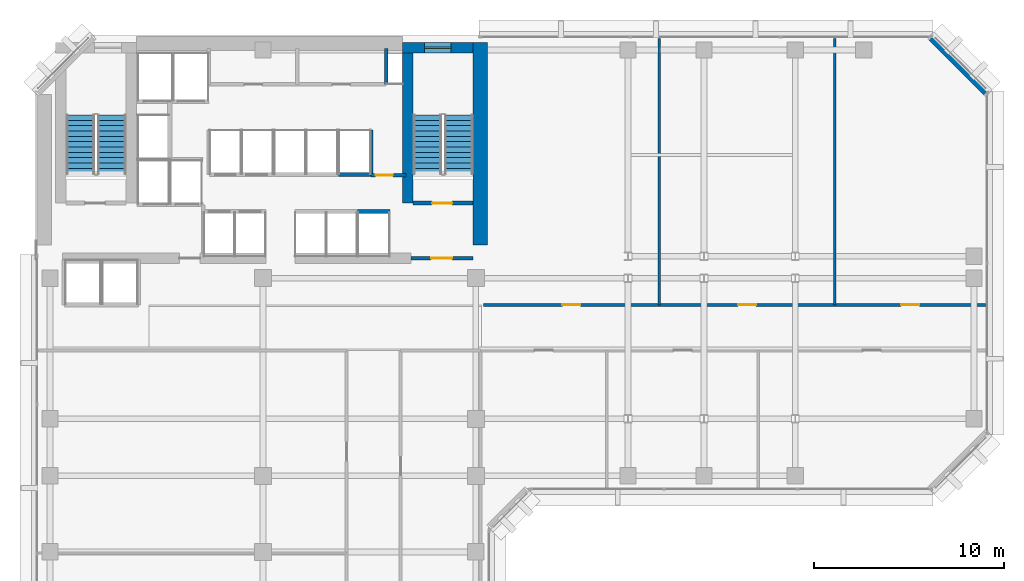
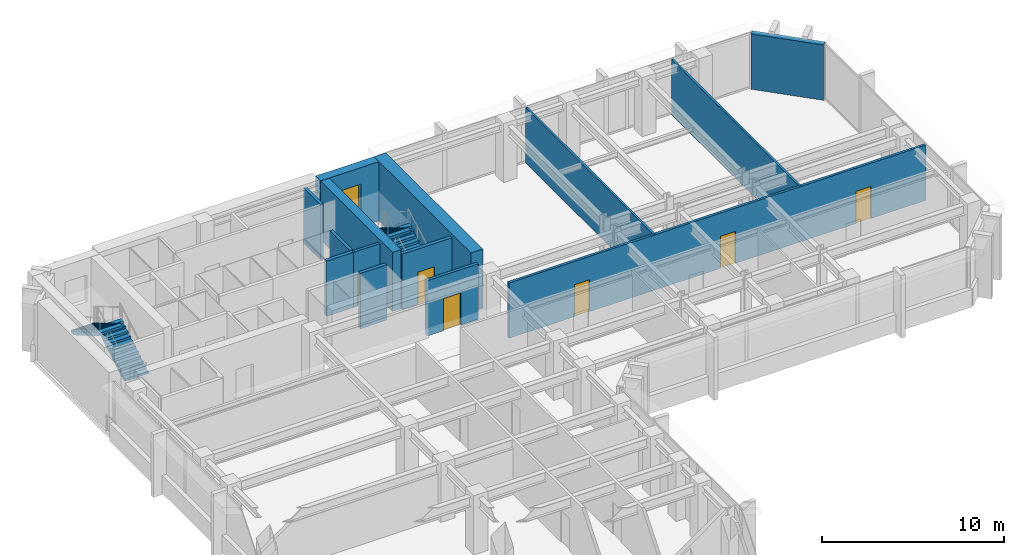
# One storey, part 8 of 12: 14 walls, 6 doors, 4 stair flights, 1 window, 7 openings, 2 elements without a shape of their own.
"""IFC4 building model written with IfcOpenShell, lengths in metres."""

from ifc_helpers import new_model, si_unit, direction, frame, frame_2d, origin, place, context, subcontext, project, spatial, polyline, rectangle, outline, extrude, material, layer, layer_set, type_object, element, fill, aggregate, save


model = new_model("IFC4")

# Units and contexts
model_context = context("Model", 3, precision=1e-05, world=origin(), true_north=direction((0.0, 1.0)))
body_context = subcontext(model_context, "Body", "Model", "MODEL_VIEW")
ifc_project = project(units=[si_unit("LENGTHUNIT", "METRE"), si_unit("AREAUNIT", "SQUARE_METRE"), si_unit("VOLUMEUNIT", "CUBIC_METRE"), si_unit("PLANEANGLEUNIT", "RADIAN"), si_unit("MASSUNIT", "GRAM", prefix="KILO")], contexts=[model_context])

# Site, building, storey
site_placement = place(None, origin())
site = spatial("IfcSite", under=ifc_project, at=site_placement, CompositionType="ELEMENT")
building_placement = place(site_placement, origin())
building = spatial("IfcBuilding", under=site, at=building_placement, Name="Kefirva Bronze Tower", CompositionType="ELEMENT")
storey_placement = place(building_placement, frame((0.0, 0.0, 122.429931640625)))
storey = spatial("IfcBuildingStorey", under=building, at=storey_placement, Name="L29", CompositionType="ELEMENT", Elevation=122.429931640625)

# Walls
ifc_material_1 = material(Name="Gypsum acoustic partition")
ifc_layer_1 = layer(ifc_material_1, 0.1298828125, Name="Gypsum acoustic partition")
ifc_layer_set_1 = layer_set([ifc_layer_1], Name="Gypsum acoustic partition")
wall_type_1 = type_object("IfcWallType", Name="Acoustic Office Partition 130mm", PredefinedType="PARTITIONING", material=ifc_layer_set_1)
for number, where, z_axis, x_axis, name in (
    (1, (32.843505859375, 31.800048828125, 0.0), (0.0, 0.0, 1.0), (0.0, 1.0, 0.0), "L29 Partition W-L29-END1"),
    (2, (42.0869140625, 31.800048828125, 0.0), (0.0, 0.0, 1.0), (0.0, 1.0, 0.0), "L29 Partition W-L29-END2"),
):
    element("IfcWall", number, at=place(storey_placement, frame(where, z_axis=z_axis, x_axis=x_axis)), inside=storey, type_object=wall_type_1, Name=name, PredefinedType="PARTITIONING", context=body_context, shape_type="SweptSolid", body=[
        extrude(rectangle(XDim=14.010009765625, YDim=0.1298828125, at=frame_2d((7.0048828125, 0.0))), origin(), (0.0, 0.0, 1.0), 3.7099609375),
    ])

# Wall, opening, door
ifc_material_2 = material(Name="Gypsum fireboard shaftwall")
ifc_layer_2 = layer(ifc_material_2, 0.219970703125, Name="Gypsum fireboard shaftwall")
ifc_layer_set_2 = layer_set([ifc_layer_2], Name="Gypsum fireboard shaftwall")
wall_type_2 = type_object("IfcWallType", Name="Fire-Rated Shaft Enclosure Wall 220mm", PredefinedType="PARTITIONING", material=ifc_layer_set_2)
wall_1_placement = place(storey_placement, frame((19.89990234375, 37.14990234375, 0.0), z_axis=(0.0, 0.0, 1.0), x_axis=(1.0, 0.0, 0.0)))
wall_1 = element("IfcWall", 3, at=wall_1_placement, inside=storey, type_object=wall_type_2, Name="L29 Partition W-L29-ST2S", PredefinedType="PARTITIONING", context=body_context, shape_type="SweptSolid", body=[
    extrude(rectangle(XDim=3.150146484375, YDim=0.219970703125, at=frame_2d((1.5751953125, 0.0))), origin(), (0.0, 0.0, 1.0), 3.7099609375),
])
opening_1_placement = place(wall_1_placement, frame((2.050048828125, 0.0, 0.0), z_axis=(0.0, 0.0, 1.0), x_axis=(-1.0, 0.0, 0.0)))
opening_1 = element("IfcOpeningElement", 4, at=opening_1_placement, cuts=wall_1, Name="Opening L29-D003", PredefinedType="OPENING", context=body_context, shape_type="SweptSolid", body=[
    extrude(rectangle(XDim=1.050048828125, YDim=2.14990234375, at=frame_2d((0.52490234375, 1.074951171875))), frame((0.0, 0.1201171875, 0.0), z_axis=(0.0, -1.0, 0.0), x_axis=(1.0, 0.0, 0.0)), (0.0, 0.0, 1.0), 0.239990234375),
])
ifc_material_3 = material(Name="Painted galvanized steel", Category="steel")
door_type_1 = type_object("IfcDoorType", Name="Fire Stair Enclosure Door 1050x2150 FD90S", OperationType="NOTDEFINED", PredefinedType="DOOR", material=ifc_material_3)
door_1_placement = place(opening_1_placement, origin())
door_1 = element("IfcDoor", 5, at=door_1_placement, inside=storey, type_object=door_type_1, Name="Door L29-D003", OperationType="SINGLE_SWING_LEFT", OverallHeight=2.14990234375, OverallWidth=1.050048828125, PredefinedType="DOOR", context=body_context, shape_type="SweptSolid", body=[
    extrude(rectangle(XDim=1.050048828125, YDim=2.14990234375, at=frame_2d((0.52490234375, 1.074951171875))), frame((0.0, 0.02490234375, 0.0), z_axis=(0.0, -1.0, 0.0), x_axis=(1.0, 0.0, 0.0)), (0.0, 0.0, 1.0), 0.050048828125),
])
fill(opening_1, door_1)

# Walls
wall_2_placement = place(storey_placement, frame((17.679931640625, 38.64990234375, 0.0), z_axis=(0.0, 0.0, 1.0), x_axis=(0.0, 1.0, 0.0)))
element("IfcWall", 6, at=wall_2_placement, inside=storey, type_object=wall_type_2, Name="L29 Partition W-L29-HP2E", PredefinedType="PARTITIONING", context=body_context, shape_type="SweptSolid", body=[
    extrude(rectangle(XDim=2.35009765625, YDim=0.199951171875, at=frame_2d((1.175048828125, 0.0))), origin(), (0.0, 0.0, 1.0), 3.7099609375),
])
wall_3_placement = place(storey_placement, frame((16.97998046875, 36.699951171875, 0.0), z_axis=(0.0, 0.0, 1.0), x_axis=(1.0, 0.0, 0.0)))
element("IfcWall", 7, at=wall_3_placement, inside=storey, type_object=wall_type_2, Name="L29 Partition W-L29-HPS", PredefinedType="PARTITIONING", context=body_context, shape_type="SweptSolid", body=[
    extrude(rectangle(XDim=1.699951171875, YDim=0.219970703125, at=frame_2d((0.85009765625, 0.0))), origin(), (0.0, 0.0, 1.0), 3.7099609375),
])
wall_4_placement = place(storey_placement, frame((15.97998046875, 38.64990234375, 0.0), z_axis=(0.0, 0.0, 1.0), x_axis=(1.0, 0.0, 0.0)))
element("IfcWall", 8, at=wall_4_placement, inside=storey, type_object=wall_type_2, Name="L29 Partition W-L29-HPN", PredefinedType="PARTITIONING", context=body_context, shape_type="SweptSolid", body=[
    extrude(rectangle(XDim=1.719970703125, YDim=0.219970703125, at=frame_2d((0.85986328125, 0.0))), origin(), (0.0, 0.0, 1.0), 3.7099609375),
])

# Wall, opening, door
ifc_material_4 = material(Name="Gypsum fireboard barrier")
ifc_layer_3 = layer(ifc_material_4, 0.199951171875, Name="Gypsum fireboard barrier")
ifc_layer_set_3 = layer_set([ifc_layer_3], Name="Gypsum fireboard barrier")
wall_type_3 = type_object("IfcWallType", Name="Firefighting Lobby Barrier Wall 200mm", PredefinedType="PARTITIONING", material=ifc_layer_set_3)
wall_5_placement = place(storey_placement, frame((19.800048828125, 34.25, 0.0), z_axis=(0.0, 0.0, 1.0), x_axis=(1.0, 0.0, 0.0)))
wall_5 = element("IfcWall", 9, at=wall_5_placement, inside=storey, type_object=wall_type_3, Name="L29 Partition W-L29-ST2F", PredefinedType="PARTITIONING", context=body_context, shape_type="SweptSolid", body=[
    extrude(rectangle(XDim=3.25, YDim=0.199951171875, at=frame_2d((1.625, 0.0))), origin(), (0.0, 0.0, 1.0), 3.7099609375),
])
opening_2_placement = place(wall_5_placement, frame((2.150146484375, 0.0, 0.0), z_axis=(0.0, 0.0, 1.0), x_axis=(-1.0, 0.0, 0.0)))
opening_2 = element("IfcOpeningElement", 10, at=opening_2_placement, cuts=wall_5, Name="Opening L29-D004", PredefinedType="OPENING", context=body_context, shape_type="SweptSolid", body=[
    extrude(rectangle(XDim=1.10009765625, YDim=2.14990234375, at=frame_2d((0.550048828125, 1.074951171875))), frame((0.0, 0.10986328125, 0.0), z_axis=(0.0, -1.0, 0.0), x_axis=(1.0, 0.0, 0.0)), (0.0, 0.0, 1.0), 0.219970703125),
])
door_type_2 = type_object("IfcDoorType", Name="Firefighting Lobby Smoke Door 1100x2150 FD60S", OperationType="NOTDEFINED", PredefinedType="DOOR", material=ifc_material_3)
door_2_placement = place(opening_2_placement, origin())
door_2 = element("IfcDoor", 11, at=door_2_placement, inside=storey, type_object=door_type_2, Name="Door L29-D004", OperationType="SINGLE_SWING_RIGHT", OverallHeight=2.14990234375, OverallWidth=1.10009765625, PredefinedType="DOOR", context=body_context, shape_type="SweptSolid", body=[
    extrude(rectangle(XDim=1.10009765625, YDim=2.14990234375, at=frame_2d((0.550048828125, 1.074951171875))), frame((0.0, 0.02490234375, 0.0), z_axis=(0.0, -1.0, 0.0), x_axis=(1.0, 0.0, 0.0)), (0.0, 0.0, 1.0), 0.050048828125),
])
fill(opening_2, door_2)

wall_6_placement = place(storey_placement, frame((17.679931640625, 38.6201171875, 0.0), z_axis=(0.0, 0.0, 1.0), x_axis=(1.0, 0.0, 0.0)))
wall_6 = element("IfcWall", 12, at=wall_6_placement, inside=storey, type_object=wall_type_3, Name="L29 Partition W-L29-CPASS", PredefinedType="PARTITIONING", context=body_context, shape_type="SweptSolid", body=[
    extrude(rectangle(XDim=1.840087890625, YDim=0.179931640625, at=frame_2d((0.919921875, 0.0))), origin(), (0.0, 0.0, 1.0), 3.7099609375),
])
opening_3_placement = place(wall_6_placement, frame((0.239990234375, 0.0, 0.0)))
opening_3 = element("IfcOpeningElement", 13, at=opening_3_placement, cuts=wall_6, Name="Opening L29-D-CPAS", PredefinedType="OPENING", context=body_context, shape_type="SweptSolid", body=[
    extrude(rectangle(XDim=0.919921875, YDim=2.10009765625, at=frame_2d((0.4599609375, 1.050048828125))), frame((0.0, 0.10009765625, 0.0), z_axis=(0.0, -1.0, 0.0), x_axis=(1.0, 0.0, 0.0)), (0.0, 0.0, 1.0), 0.199951171875),
])
ifc_material_5 = material(Name="Moisture-resistant timber", Category="wood")
door_type_3 = type_object("IfcDoorType", Name="Accessible Sanitary & WC Door 920x2100", OperationType="NOTDEFINED", PredefinedType="DOOR", material=ifc_material_5)
door_3_placement = place(opening_3_placement, origin())
door_3 = element("IfcDoor", 14, at=door_3_placement, inside=storey, type_object=door_type_3, Name="Door L29-D-CPAS", OperationType="SINGLE_SWING_LEFT", OverallHeight=2.10009765625, OverallWidth=0.919921875, PredefinedType="DOOR", context=body_context, shape_type="SweptSolid", body=[
    extrude(rectangle(XDim=0.919921875, YDim=2.10009765625, at=frame_2d((0.4599609375, 1.050048828125))), frame((0.0, 0.02490234375, 0.0), z_axis=(0.0, -1.0, 0.0), x_axis=(1.0, 0.0, 0.0)), (0.0, 0.0, 1.0), 0.050048828125),
])
fill(opening_3, door_3)

# Wall
ifc_material_6 = material(Name="Precast concrete C40/50", Category="concrete")
ifc_layer_4 = layer(ifc_material_6, 0.320068359375, Name="Precast concrete C40/50")
ifc_layer_set_4 = layer_set([ifc_layer_4], Name="Precast concrete C40/50")
wall_type_4 = type_object("IfcWallType", Name="Precast Insulated Exterior Wall 320mm", PredefinedType="SOLIDWALL", material=ifc_layer_set_4)
wall_7_placement = place(storey_placement, frame((50.048095703125, 42.92578125, 0.0), z_axis=(0.0, 0.0, 1.0), x_axis=(-0.707136318428, 0.707077242712, 0.0)))
element("IfcWall", 15, at=wall_7_placement, inside=storey, type_object=wall_type_4, Name="L29 Exterior Facade Wall 4", PredefinedType="SOLIDWALL", context=body_context, shape_type="SweptSolid", body=[
    extrude(rectangle(XDim=4.132568359375, YDim=0.320068359375, at=frame_2d((2.06640625, 0.0))), origin(), (0.0, 0.0, 1.0), 3.7099609375),
])

# Wall, openings, doors
ifc_layer_5 = layer(ifc_material_1, 0.159912109375, Name="Gypsum acoustic partition")
ifc_layer_set_5 = layer_set([ifc_layer_5], Name="Gypsum acoustic partition")
wall_type_5 = type_object("IfcWallType", Name="Protected Corridor Partition 160mm", PredefinedType="PARTITIONING", material=ifc_layer_set_5)
wall_8_placement = place(storey_placement, frame((23.60009765625, 31.800048828125, 0.0), z_axis=(0.0, 0.0, 1.0), x_axis=(1.0, 0.0, 0.0)))
wall_8 = element("IfcWall", 16, at=wall_8_placement, inside=storey, type_object=wall_type_5, Name="L29 Partition W-L29-EWN", PredefinedType="PARTITIONING", context=body_context, shape_type="SweptSolid", body=[
    extrude(rectangle(XDim=26.409912109375, YDim=0.159912109375, at=frame_2d((13.205078125, 0.0))), origin(), (0.0, 0.0, 1.0), 3.7099609375),
])
opening_4_placement = place(wall_8_placement, frame((4.146728515625, 0.0, 0.0)))
opening_4 = element("IfcOpeningElement", 17, at=opening_4_placement, cuts=wall_8, Name="Opening L29-D-EN1", PredefinedType="OPENING", context=body_context, shape_type="SweptSolid", body=[
    extrude(rectangle(XDim=0.949951171875, YDim=2.14990234375, at=frame_2d((0.47509765625, 1.074951171875))), frame((0.0, 0.08984375, 0.0), z_axis=(0.0, -1.0, 0.0), x_axis=(1.0, 0.0, 0.0)), (0.0, 0.0, 1.0), 0.179931640625),
])
opening_5_placement = place(wall_8_placement, frame((13.39013671875, 0.0, 0.0)))
opening_5 = element("IfcOpeningElement", 18, at=opening_5_placement, cuts=wall_8, Name="Opening L29-D-EN2", PredefinedType="OPENING", context=body_context, shape_type="SweptSolid", body=[
    extrude(rectangle(XDim=0.949951171875, YDim=2.14990234375, at=frame_2d((0.47509765625, 1.074951171875))), frame((0.0, 0.08984375, 0.0), z_axis=(0.0, -1.0, 0.0), x_axis=(1.0, 0.0, 0.0)), (0.0, 0.0, 1.0), 0.179931640625),
])
opening_6_placement = place(wall_8_placement, frame((21.973388671875, 0.0, 0.0)))
opening_6 = element("IfcOpeningElement", 19, at=opening_6_placement, cuts=wall_8, Name="Opening L29-D-EN3", PredefinedType="OPENING", context=body_context, shape_type="SweptSolid", body=[
    extrude(rectangle(XDim=0.949951171875, YDim=2.14990234375, at=frame_2d((0.47509765625, 1.074951171875))), frame((0.0, 0.08984375, 0.0), z_axis=(0.0, -1.0, 0.0), x_axis=(1.0, 0.0, 0.0)), (0.0, 0.0, 1.0), 0.179931640625),
])
ifc_material_7 = material(Name="Acoustic hardwood oak", Category="wood")
door_type_4 = type_object("IfcDoorType", Name="Office & Meeting Room Door 950x2150", OperationType="NOTDEFINED", PredefinedType="DOOR", material=ifc_material_7)
door_4_placement = place(opening_4_placement, origin())
door_4 = element("IfcDoor", 20, at=door_4_placement, inside=storey, type_object=door_type_4, Name="Door L29-D-EN1", OperationType="SINGLE_SWING_LEFT", OverallHeight=2.14990234375, OverallWidth=0.949951171875, PredefinedType="DOOR", context=body_context, shape_type="SweptSolid", body=[
    extrude(rectangle(XDim=0.949951171875, YDim=2.14990234375, at=frame_2d((0.47509765625, 1.074951171875))), frame((0.0, 0.02490234375, 0.0), z_axis=(0.0, -1.0, 0.0), x_axis=(1.0, 0.0, 0.0)), (0.0, 0.0, 1.0), 0.050048828125),
])
fill(opening_4, door_4)
door_5_placement = place(opening_5_placement, origin())
door_5 = element("IfcDoor", 21, at=door_5_placement, inside=storey, type_object=door_type_4, Name="Door L29-D-EN2", OperationType="SINGLE_SWING_RIGHT", OverallHeight=2.14990234375, OverallWidth=0.949951171875, PredefinedType="DOOR", context=body_context, shape_type="SweptSolid", body=[
    extrude(rectangle(XDim=0.949951171875, YDim=2.14990234375, at=frame_2d((0.47509765625, 1.074951171875))), frame((0.0, 0.02490234375, 0.0), z_axis=(0.0, -1.0, 0.0), x_axis=(1.0, 0.0, 0.0)), (0.0, 0.0, 1.0), 0.050048828125),
])
fill(opening_5, door_5)
door_6_placement = place(opening_6_placement, origin())
door_6 = element("IfcDoor", 22, at=door_6_placement, inside=storey, type_object=door_type_4, Name="Door L29-D-EN3", OperationType="SINGLE_SWING_LEFT", OverallHeight=2.14990234375, OverallWidth=0.949951171875, PredefinedType="DOOR", context=body_context, shape_type="SweptSolid", body=[
    extrude(rectangle(XDim=0.949951171875, YDim=2.14990234375, at=frame_2d((0.47509765625, 1.074951171875))), frame((0.0, 0.02490234375, 0.0), z_axis=(0.0, -1.0, 0.0), x_axis=(1.0, 0.0, 0.0)), (0.0, 0.0, 1.0), 0.050048828125),
])
fill(opening_6, door_6)

# Wall, opening, window
ifc_material_8 = material(Name="Concrete C50/60", Category="concrete")
ifc_layer_6 = layer(ifc_material_8, 0.550048828125, Name="Concrete C50/60")
ifc_layer_set_6 = layer_set([ifc_layer_6], Name="Concrete C50/60")
wall_type_6 = type_object("IfcWallType", Name="RC Rear Core Exterior Wall 550mm", PredefinedType="SHEAR", material=ifc_layer_set_6)
wall_9_placement = place(storey_placement, frame((19.35009765625, 45.320068359375, 0.0), z_axis=(0.0, 0.0, 1.0), x_axis=(1.0, 0.0, 0.0)))
wall_9 = element("IfcWall", 23, at=wall_9_placement, inside=storey, type_object=wall_type_6, Name="L29 Stair 2 North Shear Wall", PredefinedType="SHEAR", context=body_context, shape_type="SweptSolid", body=[
    extrude(rectangle(XDim=3.68994140625, YDim=0.550048828125, at=frame_2d((1.844970703125, 0.0))), origin(), (0.0, 0.0, 1.0), 3.9599609375),
])
opening_7_placement = place(wall_9_placement, frame((1.14990234375, 0.0, 1.050048828125)))
opening_7 = element("IfcOpeningElement", 24, at=opening_7_placement, cuts=wall_9, Name="Opening WN-03", PredefinedType="OPENING", context=body_context, shape_type="SweptSolid", body=[
    extrude(rectangle(XDim=1.39990234375, YDim=1.800048828125, at=frame_2d((0.699951171875, 0.89990234375))), frame((0.0, 0.28515625, 0.0), z_axis=(0.0, -1.0, 0.0), x_axis=(1.0, 0.0, 0.0)), (0.0, 0.0, 1.0), 0.570068359375),
])
ifc_material_9 = material(Name="Laminated low-E double glazing", Category="glass")
window_type = type_object("IfcWindowType", Name="Rear-Core Stair Daylight Window 1400x1800", PartitioningType="SINGLE_PANEL", PredefinedType="WINDOW", material=ifc_material_9)
window_placement = place(opening_7_placement, origin())
window = element("IfcWindow", 25, at=window_placement, inside=storey, type_object=window_type, Name="L29 Stair 2 Daylight Window", OverallHeight=1.800048828125, OverallWidth=1.39990234375, PartitioningType="SINGLE_PANEL", PredefinedType="WINDOW", context=body_context, shape_type="SweptSolid", body=[
    extrude(rectangle(XDim=1.39990234375, YDim=1.800048828125, at=frame_2d((0.699951171875, 0.89990234375))), frame((0.0, 0.030029296875, 0.0), z_axis=(0.0, -1.0, 0.0), x_axis=(1.0, 0.0, 0.0)), (0.0, 0.0, 1.0), 0.06005859375),
])
fill(opening_7, window)

# Walls
ifc_layer_7 = layer(ifc_material_8, 0.550048828125, Name="Concrete C50/60")
ifc_layer_set_7 = layer_set([ifc_layer_7], Name="Concrete C50/60")
wall_type_7 = type_object("IfcWallType", Name="RC Rear Core Interior Wall 550mm", PredefinedType="SHEAR", material=ifc_layer_set_7)
wall_10_placement = place(storey_placement, frame((19.6201171875, 37.14990234375, 0.0), z_axis=(0.0, 0.0, 1.0), x_axis=(0.0, 1.0, 0.0)))
element("IfcWall", 26, at=wall_10_placement, inside=storey, type_object=wall_type_7, Name="L29 Stair 2 West Shear Wall", PredefinedType="SHEAR", context=body_context, shape_type="SweptSolid", body=[
    extrude(rectangle(XDim=7.89013671875, YDim=0.550048828125, at=frame_2d((3.945068359375, 0.0))), origin(), (0.0, 0.0, 1.0), 3.9599609375),
])
ifc_material_10 = material(Name="Concrete C60/75", Category="concrete")
ifc_layer_8 = layer(ifc_material_10, 0.75, Name="Concrete C60/75")
ifc_layer_set_8 = layer_set([ifc_layer_8], Name="Concrete C60/75")
wall_type_8 = type_object("IfcWallType", Name="RC Rear Core Interior Wall 750mm", PredefinedType="SHEAR", material=ifc_layer_set_8)
wall_11_placement = place(storey_placement, frame((23.425048828125, 34.949951171875, 0.0), z_axis=(0.0, 0.0, 1.0), x_axis=(0.0, 1.0, 0.0)))
element("IfcWall", 27, at=wall_11_placement, inside=storey, type_object=wall_type_8, Name="L29 Rear Core East Shear Wall", PredefinedType="SHEAR", context=body_context, shape_type="SweptSolid", body=[
    extrude(rectangle(XDim=10.64013671875, YDim=0.75, at=frame_2d((5.320068359375, 0.0))), origin(), (0.0, 0.0, 1.0), 3.9599609375),
])
ifc_material_11 = material(Name="Moisture-resistant partition")
ifc_layer_9 = layer(ifc_material_11, 0.179931640625, Name="Moisture-resistant partition")
ifc_layer_set_9 = layer_set([ifc_layer_9], Name="Moisture-resistant partition")
wall_type_9 = type_object("IfcWallType", Name="Sanitary Plumbing Chase Wall 180mm", PredefinedType="PLUMBINGWALL", material=ifc_layer_set_9)
wall_12_placement = place(storey_placement, frame((18.47998046875, 43.39990234375, 0.0), z_axis=(0.0, 0.0, 1.0), x_axis=(0.0, 1.0, 0.0)))
element("IfcWall", 28, at=wall_12_placement, inside=storey, type_object=wall_type_9, Name="L29 Partition W-L29-SVCE", PredefinedType="PLUMBINGWALL", context=body_context, shape_type="SweptSolid", body=[
    extrude(rectangle(XDim=1.880126953125, YDim=0.179931640625, at=frame_2d((0.93994140625, 0.0))), origin(), (0.0, 0.0, 1.0), 3.7099609375),
])

# Stair, stair flights
ifc_material_12 = material(Name="Concrete C40/50", Category="concrete")
stair_type = type_object("IfcStairType", Name="RC Dogleg Protected Stair 24R", PredefinedType="HALF_TURN_STAIR", material=ifc_material_12)
stair_1_placement = place(storey_placement, origin())
stair_1 = element("IfcStair", 29, at=stair_1_placement, inside=storey, type_object=stair_type, Name="L29 Protected Exit Stair 1", PredefinedType="HALF_TURN_STAIR")
stair_flight_type = type_object("IfcStairFlightType", Name="RC Straight Stair Flight 24R", PredefinedType="STRAIGHT", material=ifc_material_12)
stair_flight_1_placement = place(storey_placement, frame((4.050048828125, 38.699951171875, 0.0), z_axis=(0.0, 0.0, 1.0), x_axis=(0.0, 1.0, 0.0)))
stair_flight_1 = element("IfcStairFlight", 30, at=stair_flight_1_placement, type_object=stair_flight_type, Name="ST-1 flight 1", NumberOfRisers=12, NumberOfTreads=11, PredefinedType="STRAIGHT", RiserHeight=0.165, TreadLength=0.28, context=body_context, shape_type="SweptSolid", body=[
    extrude(outline(polyline([(0.0, 0.0), (0.0, 0.1650390625), (0.280029296875, 0.1650390625), (0.280029296875, 0.330078125), (0.56005859375, 0.330078125), (0.56005859375, 0.4951171875), (0.840087890625, 0.4951171875), (0.840087890625, 0.659912109375), (1.1201171875, 0.659912109375), (1.1201171875, 0.824951171875), (1.39990234375, 0.824951171875), (1.39990234375, 0.989990234375), (1.679931640625, 0.989990234375), (1.679931640625, 1.155029296875), (1.9599609375, 1.155029296875), (1.9599609375, 1.320068359375), (2.239990234375, 1.320068359375), (2.239990234375, 1.485107421875), (2.52001953125, 1.485107421875), (2.52001953125, 1.64990234375), (2.800048828125, 1.64990234375), (2.800048828125, 1.81494140625), (3.080078125, 1.81494140625), (3.080078125, 1.97998046875), (3.080078125, 1.64111328125), (0.295166015625, 0.0), (0.0, 0.0)])), frame((0.0, 0.75, 0.0), z_axis=(0.0, -1.0, 0.0), x_axis=(1.0, 0.0, 0.0)), (0.0, 0.0, 1.0), 1.5),
])
stair_flight_2_placement = place(storey_placement, frame((2.39990234375, 41.780029296875, 1.97998046875), z_axis=(0.0, 0.0, 1.0), x_axis=(0.0, -1.0, 0.0)))
stair_flight_2 = element("IfcStairFlight", 31, at=stair_flight_2_placement, type_object=stair_flight_type, Name="ST-1 flight 2", NumberOfRisers=12, NumberOfTreads=11, PredefinedType="STRAIGHT", RiserHeight=0.165, TreadLength=0.28, context=body_context, shape_type="SweptSolid", body=[
    extrude(outline(polyline([(0.0, 0.0), (0.0, 0.1650390625), (0.280029296875, 0.1650390625), (0.280029296875, 0.330078125), (0.56005859375, 0.330078125), (0.56005859375, 0.4951171875), (0.840087890625, 0.4951171875), (0.840087890625, 0.659912109375), (1.1201171875, 0.659912109375), (1.1201171875, 0.824951171875), (1.39990234375, 0.824951171875), (1.39990234375, 0.989990234375), (1.679931640625, 0.989990234375), (1.679931640625, 1.155029296875), (1.9599609375, 1.155029296875), (1.9599609375, 1.320068359375), (2.239990234375, 1.320068359375), (2.239990234375, 1.485107421875), (2.52001953125, 1.485107421875), (2.52001953125, 1.64990234375), (2.800048828125, 1.64990234375), (2.800048828125, 1.81494140625), (3.080078125, 1.81494140625), (3.080078125, 1.97998046875), (3.080078125, 1.64111328125), (0.295166015625, 0.0), (0.0, 0.0)])), frame((0.0, 0.75, 0.0), z_axis=(0.0, -1.0, 0.0), x_axis=(1.0, 0.0, 0.0)), (0.0, 0.0, 1.0), 1.5),
])
aggregate(stair_1, [stair_flight_1, stair_flight_2])

stair_2_placement = place(storey_placement, origin())
stair_2 = element("IfcStair", 32, at=stair_2_placement, inside=storey, type_object=stair_type, Name="L29 Protected Exit Stair 2", PredefinedType="HALF_TURN_STAIR")
stair_flight_3_placement = place(storey_placement, frame((22.300048828125, 38.699951171875, 0.0), z_axis=(0.0, 0.0, 1.0), x_axis=(0.0, 1.0, 0.0)))
stair_flight_3 = element("IfcStairFlight", 33, at=stair_flight_3_placement, type_object=stair_flight_type, Name="ST-2 flight 1", NumberOfRisers=12, NumberOfTreads=11, PredefinedType="STRAIGHT", RiserHeight=0.165, TreadLength=0.28, context=body_context, shape_type="SweptSolid", body=[
    extrude(outline(polyline([(0.0, 0.0), (0.0, 0.1650390625), (0.280029296875, 0.1650390625), (0.280029296875, 0.330078125), (0.56005859375, 0.330078125), (0.56005859375, 0.4951171875), (0.840087890625, 0.4951171875), (0.840087890625, 0.659912109375), (1.1201171875, 0.659912109375), (1.1201171875, 0.824951171875), (1.39990234375, 0.824951171875), (1.39990234375, 0.989990234375), (1.679931640625, 0.989990234375), (1.679931640625, 1.155029296875), (1.9599609375, 1.155029296875), (1.9599609375, 1.320068359375), (2.239990234375, 1.320068359375), (2.239990234375, 1.485107421875), (2.52001953125, 1.485107421875), (2.52001953125, 1.64990234375), (2.800048828125, 1.64990234375), (2.800048828125, 1.81494140625), (3.080078125, 1.81494140625), (3.080078125, 1.97998046875), (3.080078125, 1.64111328125), (0.295166015625, 0.0), (0.0, 0.0)])), frame((0.0, 0.75, 0.0), z_axis=(0.0, -1.0, 0.0), x_axis=(1.0, 0.0, 0.0)), (0.0, 0.0, 1.0), 1.5),
])
stair_flight_4_placement = place(storey_placement, frame((20.64990234375, 41.780029296875, 1.97998046875), z_axis=(0.0, 0.0, 1.0), x_axis=(0.0, -1.0, 0.0)))
stair_flight_4 = element("IfcStairFlight", 34, at=stair_flight_4_placement, type_object=stair_flight_type, Name="ST-2 flight 2", NumberOfRisers=12, NumberOfTreads=11, PredefinedType="STRAIGHT", RiserHeight=0.165, TreadLength=0.28, context=body_context, shape_type="SweptSolid", body=[
    extrude(outline(polyline([(0.0, 0.0), (0.0, 0.1650390625), (0.280029296875, 0.1650390625), (0.280029296875, 0.330078125), (0.56005859375, 0.330078125), (0.56005859375, 0.4951171875), (0.840087890625, 0.4951171875), (0.840087890625, 0.659912109375), (1.1201171875, 0.659912109375), (1.1201171875, 0.824951171875), (1.39990234375, 0.824951171875), (1.39990234375, 0.989990234375), (1.679931640625, 0.989990234375), (1.679931640625, 1.155029296875), (1.9599609375, 1.155029296875), (1.9599609375, 1.320068359375), (2.239990234375, 1.320068359375), (2.239990234375, 1.485107421875), (2.52001953125, 1.485107421875), (2.52001953125, 1.64990234375), (2.800048828125, 1.64990234375), (2.800048828125, 1.81494140625), (3.080078125, 1.81494140625), (3.080078125, 1.97998046875), (3.080078125, 1.64111328125), (0.295166015625, 0.0), (0.0, 0.0)])), frame((0.0, 0.75, 0.0), z_axis=(0.0, -1.0, 0.0), x_axis=(1.0, 0.0, 0.0)), (0.0, 0.0, 1.0), 1.5),
])
aggregate(stair_2, [stair_flight_3, stair_flight_4])

save(model, "model.ifc")
